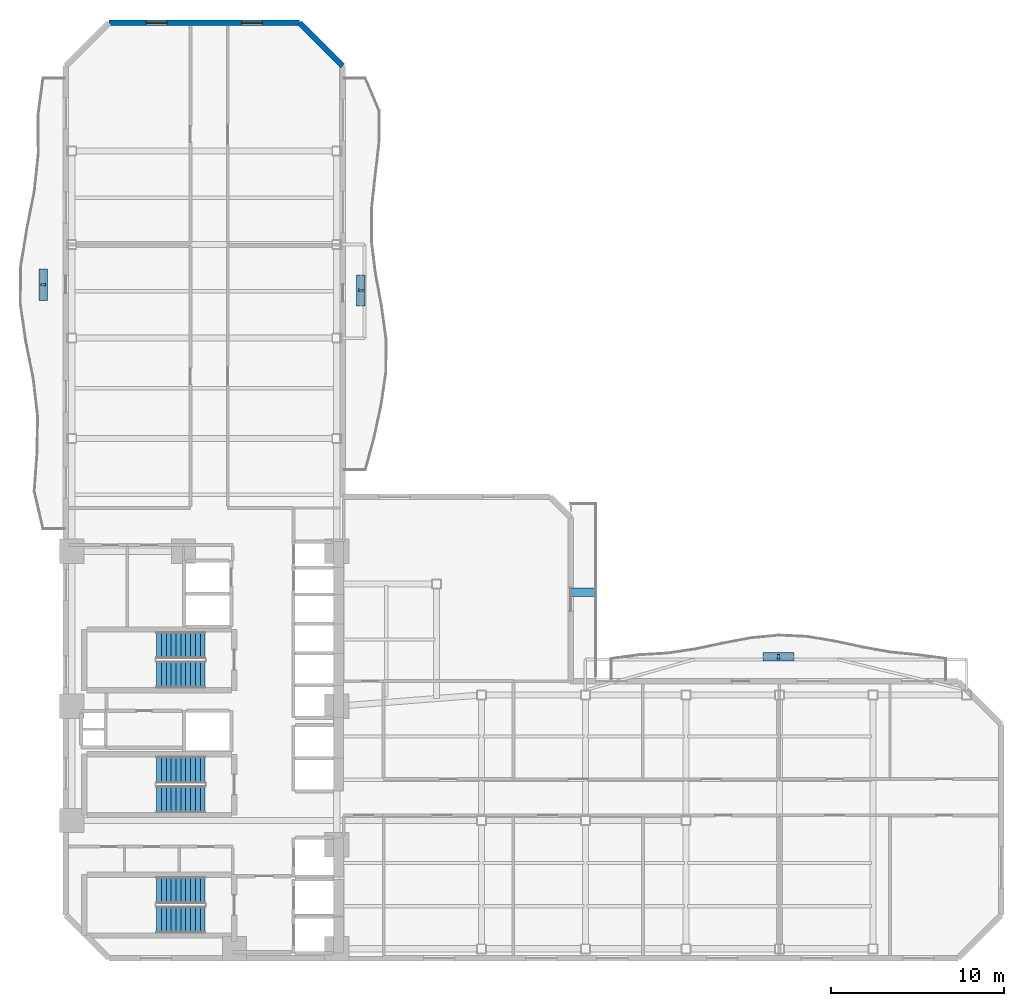
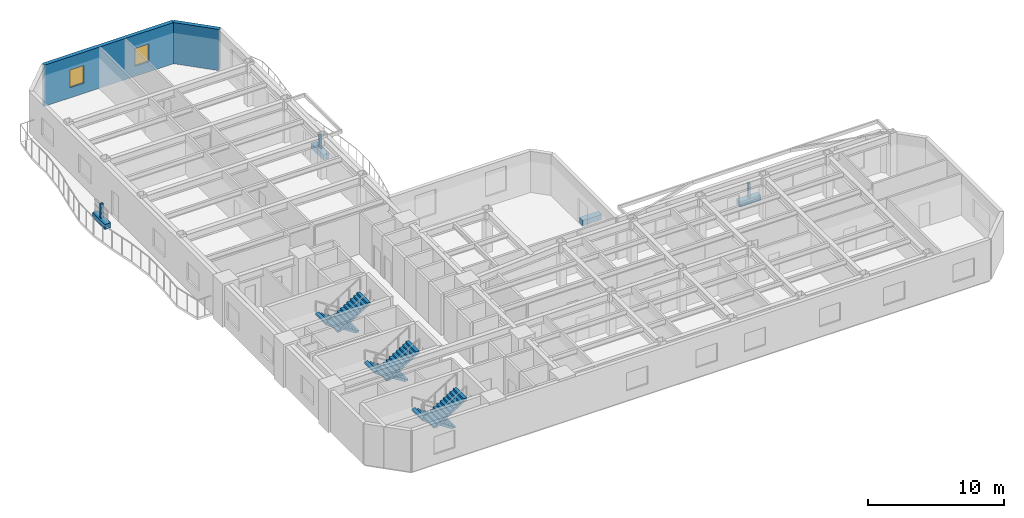
# One storey, part 7 of 10: 7 discrete accessories, 6 stair flights, 2 walls, 2 windows, 2 openings, 3 elements without a shape of their own.
"""IFC4 building model written with IfcOpenShell, lengths in metres."""

from ifc_helpers import new_model, si_unit, direction, frame, frame_2d, origin, origin_2d, place, context, subcontext, project, spatial, polyline, rectangle, outline, extrude, material, layer, layer_set, type_object, element, fill, aggregate, save


model = new_model("IFC4")

# Units and contexts
model_context = context("Model", 3, precision=1e-05, world=origin(), true_north=direction((0.0, 1.0)))
body_context = subcontext(model_context, "Body", "Model", "MODEL_VIEW")
ifc_project = project(units=[si_unit("LENGTHUNIT", "METRE"), si_unit("AREAUNIT", "SQUARE_METRE"), si_unit("VOLUMEUNIT", "CUBIC_METRE"), si_unit("PLANEANGLEUNIT", "RADIAN"), si_unit("MASSUNIT", "GRAM", prefix="KILO")], contexts=[model_context])

# Site, building, storey
site_placement = place(None, origin())
site = spatial("IfcSite", under=ifc_project, at=site_placement, CompositionType="ELEMENT")
building_placement = place(site_placement, origin())
building = spatial("IfcBuilding", under=site, at=building_placement, Name="Mawjaban Terraces University", CompositionType="ELEMENT")
storey_placement = place(building_placement, frame((0.0, 0.0, 62.199951171875)))
storey = spatial("IfcBuildingStorey", under=building, at=storey_placement, Name="L14", CompositionType="ELEMENT", Elevation=62.199951171875)

# Wall
ifc_material_1 = material(Name="Insulated terracotta rainscreen on concrete backup C40/50", Category="masonry")
ifc_layer = layer(ifc_material_1, 0.320068359375)
ifc_layer_set = layer_set([ifc_layer], Name="Insulated terracotta rainscreen on concrete backup C40/50")
wall_type = type_object("IfcWallType", Name="ExtTerracottaWall_320", PredefinedType="SOLIDWALL", material=ifc_layer_set)
wall_1_placement = place(storey_placement, frame((38.0, 51.5, 0.0), z_axis=(0.0, 0.0, 1.0), x_axis=(-0.707106781187, 0.707106781187, 0.0)))
element("IfcWall", 1, at=wall_1_placement, inside=storey, type_object=wall_type, Name="L14 Exterior Terracotta Wall 10", PredefinedType="SOLIDWALL", context=body_context, shape_type="SweptSolid", body=[
    extrude(rectangle(XDim=3.53564453125, YDim=0.320068359375, at=frame_2d((1.767822265625, 0.0))), origin(), (0.0, 0.0, 1.0), 3.68994140625),
])

# Wall, openings, windows
wall_2_placement = place(storey_placement, frame((35.5, 54.0, 0.0), z_axis=(0.0, 0.0, 1.0), x_axis=(-1.0, 0.0, 0.0)))
wall_2 = element("IfcWall", 2, at=wall_2_placement, inside=storey, type_object=wall_type, Name="L14 Exterior Terracotta Wall 11", PredefinedType="SOLIDWALL", context=body_context, shape_type="SweptSolid", body=[
    extrude(rectangle(XDim=11.0, YDim=0.320068359375, at=frame_2d((5.5, 0.0))), origin(), (0.0, 0.0, 1.0), 3.68994140625),
])
opening_1_placement = place(wall_2_placement, frame((2.14990234375, 0.0, 0.89990234375)))
opening_1 = element("IfcOpeningElement", 3, at=opening_1_placement, cuts=wall_2, Name="Opening W-01", PredefinedType="OPENING", context=body_context, shape_type="SweptSolid", body=[
    extrude(rectangle(XDim=1.199951171875, YDim=1.60009765625, at=frame_2d((0.60009765625, 0.800048828125))), frame((0.0, 0.169921875, 0.0), z_axis=(0.0, -1.0, 0.0), x_axis=(1.0, 0.0, 0.0)), (0.0, 0.0, 1.0), 0.340087890625),
])
opening_2_placement = place(wall_2_placement, frame((7.64990234375, 0.0, 0.89990234375)))
opening_2 = element("IfcOpeningElement", 4, at=opening_2_placement, cuts=wall_2, Name="Opening W-01", PredefinedType="OPENING", context=body_context, shape_type="SweptSolid", body=[
    extrude(rectangle(XDim=1.199951171875, YDim=1.60009765625, at=frame_2d((0.60009765625, 0.800048828125))), frame((0.0, 0.169921875, 0.0), z_axis=(0.0, -1.0, 0.0), x_axis=(1.0, 0.0, 0.0)), (0.0, 0.0, 1.0), 0.340087890625),
])
ifc_material_2 = material(Name="Low-E solar-control double glazing in thermally broken aluminium frame", Category="aluminium")
window_type = type_object("IfcWindowType", Name="Win_1200x1600", PartitioningType="SINGLE_PANEL", PredefinedType="WINDOW", material=ifc_material_2)
window_1_placement = place(opening_1_placement, origin())
window_1 = element("IfcWindow", 5, at=window_1_placement, inside=storey, type_object=window_type, Name="L14 Facade Window 11.1", OverallHeight=1.60009765625, OverallWidth=1.199951171875, PartitioningType="SINGLE_PANEL", PredefinedType="WINDOW", context=body_context, shape_type="SweptSolid", body=[
    extrude(rectangle(XDim=1.199951171875, YDim=1.60009765625, at=frame_2d((0.60009765625, 0.800048828125))), frame((0.0, 0.030029296875, 0.0), z_axis=(0.0, -1.0, 0.0), x_axis=(1.0, 0.0, 0.0)), (0.0, 0.0, 1.0), 0.06005859375),
])
fill(opening_1, window_1)
window_2_placement = place(opening_2_placement, origin())
window_2 = element("IfcWindow", 6, at=window_2_placement, inside=storey, type_object=window_type, Name="L14 Facade Window 11.2", OverallHeight=1.60009765625, OverallWidth=1.199951171875, PartitioningType="SINGLE_PANEL", PredefinedType="WINDOW", context=body_context, shape_type="SweptSolid", body=[
    extrude(rectangle(XDim=1.199951171875, YDim=1.60009765625, at=frame_2d((0.60009765625, 0.800048828125))), frame((0.0, 0.030029296875, 0.0), z_axis=(0.0, -1.0, 0.0), x_axis=(1.0, 0.0, 0.0)), (0.0, 0.0, 1.0), 0.06005859375),
])
fill(opening_2, window_2)

# Stair, stair flights
ifc_material_3 = material(Name="Concrete C40/50", Category="concrete")
stair_type = type_object("IfcStairType", Name="Stair_Core1550_H39", PredefinedType="HALF_TURN_STAIR", material=ifc_material_3)
stair_1_placement = place(storey_placement, origin())
stair_1 = element("IfcStair", 7, at=stair_1_placement, inside=storey, type_object=stair_type, Name="L14 Core Exit Stair 1", PredefinedType="HALF_TURN_STAIR")
stair_flight_type = type_object("IfcStairFlightType", Name="Flight_Core1550_H39", PredefinedType="STRAIGHT", material=ifc_material_3)
stair_flight_1_placement = place(storey_placement, frame((30.050048828125, 3.925048828125, 0.0), z_axis=(0.0, 0.0, 1.0), x_axis=(-1.0, 0.0, 0.0)))
stair_flight_1 = element("IfcStairFlight", 8, at=stair_flight_1_placement, type_object=stair_flight_type, Name="ST-1 flight 1", NumberOfRisers=11, NumberOfTreads=10, PredefinedType="STRAIGHT", RiserHeight=0.177272727, TreadLength=0.28, context=body_context, shape_type="SweptSolid", body=[
    extrude(outline(polyline([(0.0, 0.0), (0.0, 0.17724609375), (0.280029296875, 0.17724609375), (0.280029296875, 0.3544921875), (0.56005859375, 0.3544921875), (0.56005859375, 0.53173828125), (0.840087890625, 0.53173828125), (0.840087890625, 0.708984375), (1.1201171875, 0.708984375), (1.1201171875, 0.886474609375), (1.39990234375, 0.886474609375), (1.39990234375, 1.063720703125), (1.679931640625, 1.063720703125), (1.679931640625, 1.240966796875), (1.9599609375, 1.240966796875), (1.9599609375, 1.418212890625), (2.239990234375, 1.418212890625), (2.239990234375, 1.595458984375), (2.52001953125, 1.595458984375), (2.52001953125, 1.772705078125), (2.800048828125, 1.772705078125), (2.800048828125, 1.949951171875), (2.800048828125, 1.59521484375), (0.2802734375, 0.0), (0.0, 0.0)])), frame((0.0, 0.77490234375, 0.0), z_axis=(0.0, -1.0, 0.0), x_axis=(1.0, 0.0, 0.0)), (0.0, 0.0, 1.0), 1.550048828125),
])
stair_flight_2_placement = place(storey_placement, frame((27.25, 2.22509765625, 1.949951171875), z_axis=(0.0, 0.0, 1.0), x_axis=(1.0, 0.0, 0.0)))
stair_flight_2 = element("IfcStairFlight", 9, at=stair_flight_2_placement, type_object=stair_flight_type, Name="ST-1 flight 2", NumberOfRisers=11, NumberOfTreads=10, PredefinedType="STRAIGHT", RiserHeight=0.177272727, TreadLength=0.28, context=body_context, shape_type="SweptSolid", body=[
    extrude(outline(polyline([(0.0, 0.0), (0.0, 0.17724609375), (0.280029296875, 0.17724609375), (0.280029296875, 0.3544921875), (0.56005859375, 0.3544921875), (0.56005859375, 0.53173828125), (0.840087890625, 0.53173828125), (0.840087890625, 0.708984375), (1.1201171875, 0.708984375), (1.1201171875, 0.886474609375), (1.39990234375, 0.886474609375), (1.39990234375, 1.063720703125), (1.679931640625, 1.063720703125), (1.679931640625, 1.240966796875), (1.9599609375, 1.240966796875), (1.9599609375, 1.418212890625), (2.239990234375, 1.418212890625), (2.239990234375, 1.595458984375), (2.52001953125, 1.595458984375), (2.52001953125, 1.772705078125), (2.800048828125, 1.772705078125), (2.800048828125, 1.949951171875), (2.800048828125, 1.59521484375), (0.2802734375, 0.0), (0.0, 0.0)])), frame((0.0, 0.77490234375, 0.0), z_axis=(0.0, -1.0, 0.0), x_axis=(1.0, 0.0, 0.0)), (0.0, 0.0, 1.0), 1.550048828125),
])
aggregate(stair_1, [stair_flight_1, stair_flight_2])

stair_2_placement = place(storey_placement, origin())
stair_2 = element("IfcStair", 10, at=stair_2_placement, inside=storey, type_object=stair_type, Name="L14 Core Exit Stair 2", PredefinedType="HALF_TURN_STAIR")
stair_flight_3_placement = place(storey_placement, frame((30.050048828125, 18.074951171875, 0.0), z_axis=(0.0, 0.0, 1.0), x_axis=(-1.0, 0.0, 0.0)))
stair_flight_3 = element("IfcStairFlight", 11, at=stair_flight_3_placement, type_object=stair_flight_type, Name="ST-2 flight 1", NumberOfRisers=11, NumberOfTreads=10, PredefinedType="STRAIGHT", RiserHeight=0.177272727, TreadLength=0.28, context=body_context, shape_type="SweptSolid", body=[
    extrude(outline(polyline([(0.0, 0.0), (0.0, 0.17724609375), (0.280029296875, 0.17724609375), (0.280029296875, 0.3544921875), (0.56005859375, 0.3544921875), (0.56005859375, 0.53173828125), (0.840087890625, 0.53173828125), (0.840087890625, 0.708984375), (1.1201171875, 0.708984375), (1.1201171875, 0.886474609375), (1.39990234375, 0.886474609375), (1.39990234375, 1.063720703125), (1.679931640625, 1.063720703125), (1.679931640625, 1.240966796875), (1.9599609375, 1.240966796875), (1.9599609375, 1.418212890625), (2.239990234375, 1.418212890625), (2.239990234375, 1.595458984375), (2.52001953125, 1.595458984375), (2.52001953125, 1.772705078125), (2.800048828125, 1.772705078125), (2.800048828125, 1.949951171875), (2.800048828125, 1.59521484375), (0.2802734375, 0.0), (0.0, 0.0)])), frame((0.0, 0.77490234375, 0.0), z_axis=(0.0, -1.0, 0.0), x_axis=(1.0, 0.0, 0.0)), (0.0, 0.0, 1.0), 1.550048828125),
])
stair_flight_4_placement = place(storey_placement, frame((27.25, 16.375, 1.949951171875), z_axis=(0.0, 0.0, 1.0), x_axis=(1.0, 0.0, 0.0)))
stair_flight_4 = element("IfcStairFlight", 12, at=stair_flight_4_placement, type_object=stair_flight_type, Name="ST-2 flight 2", NumberOfRisers=11, NumberOfTreads=10, PredefinedType="STRAIGHT", RiserHeight=0.177272727, TreadLength=0.28, context=body_context, shape_type="SweptSolid", body=[
    extrude(outline(polyline([(0.0, 0.0), (0.0, 0.17724609375), (0.280029296875, 0.17724609375), (0.280029296875, 0.3544921875), (0.56005859375, 0.3544921875), (0.56005859375, 0.53173828125), (0.840087890625, 0.53173828125), (0.840087890625, 0.708984375), (1.1201171875, 0.708984375), (1.1201171875, 0.886474609375), (1.39990234375, 0.886474609375), (1.39990234375, 1.063720703125), (1.679931640625, 1.063720703125), (1.679931640625, 1.240966796875), (1.9599609375, 1.240966796875), (1.9599609375, 1.418212890625), (2.239990234375, 1.418212890625), (2.239990234375, 1.595458984375), (2.52001953125, 1.595458984375), (2.52001953125, 1.772705078125), (2.800048828125, 1.772705078125), (2.800048828125, 1.949951171875), (2.800048828125, 1.59521484375), (0.2802734375, 0.0), (0.0, 0.0)])), frame((0.0, 0.77490234375, 0.0), z_axis=(0.0, -1.0, 0.0), x_axis=(1.0, 0.0, 0.0)), (0.0, 0.0, 1.0), 1.550048828125),
])
aggregate(stair_2, [stair_flight_3, stair_flight_4])

stair_3_placement = place(storey_placement, origin())
stair_3 = element("IfcStair", 13, at=stair_3_placement, inside=storey, type_object=stair_type, Name="L14 Core Exit Stair 3", PredefinedType="HALF_TURN_STAIR")
stair_flight_5_placement = place(storey_placement, frame((30.050048828125, 10.875, 0.0), z_axis=(0.0, 0.0, 1.0), x_axis=(-1.0, 0.0, 0.0)))
stair_flight_5 = element("IfcStairFlight", 14, at=stair_flight_5_placement, type_object=stair_flight_type, Name="ST-3 flight 1", NumberOfRisers=11, NumberOfTreads=10, PredefinedType="STRAIGHT", RiserHeight=0.177272727, TreadLength=0.28, context=body_context, shape_type="SweptSolid", body=[
    extrude(outline(polyline([(0.0, 0.0), (0.0, 0.17724609375), (0.280029296875, 0.17724609375), (0.280029296875, 0.3544921875), (0.56005859375, 0.3544921875), (0.56005859375, 0.53173828125), (0.840087890625, 0.53173828125), (0.840087890625, 0.708984375), (1.1201171875, 0.708984375), (1.1201171875, 0.886474609375), (1.39990234375, 0.886474609375), (1.39990234375, 1.063720703125), (1.679931640625, 1.063720703125), (1.679931640625, 1.240966796875), (1.9599609375, 1.240966796875), (1.9599609375, 1.418212890625), (2.239990234375, 1.418212890625), (2.239990234375, 1.595458984375), (2.52001953125, 1.595458984375), (2.52001953125, 1.772705078125), (2.800048828125, 1.772705078125), (2.800048828125, 1.949951171875), (2.800048828125, 1.59521484375), (0.2802734375, 0.0), (0.0, 0.0)])), frame((0.0, 0.77490234375, 0.0), z_axis=(0.0, -1.0, 0.0), x_axis=(1.0, 0.0, 0.0)), (0.0, 0.0, 1.0), 1.550048828125),
])
stair_flight_6_placement = place(storey_placement, frame((27.25, 9.175048828125, 1.949951171875), z_axis=(0.0, 0.0, 1.0), x_axis=(1.0, 0.0, 0.0)))
stair_flight_6 = element("IfcStairFlight", 15, at=stair_flight_6_placement, type_object=stair_flight_type, Name="ST-3 flight 2", NumberOfRisers=11, NumberOfTreads=10, PredefinedType="STRAIGHT", RiserHeight=0.177272727, TreadLength=0.28, context=body_context, shape_type="SweptSolid", body=[
    extrude(outline(polyline([(0.0, 0.0), (0.0, 0.17724609375), (0.280029296875, 0.17724609375), (0.280029296875, 0.3544921875), (0.56005859375, 0.3544921875), (0.56005859375, 0.53173828125), (0.840087890625, 0.53173828125), (0.840087890625, 0.708984375), (1.1201171875, 0.708984375), (1.1201171875, 0.886474609375), (1.39990234375, 0.886474609375), (1.39990234375, 1.063720703125), (1.679931640625, 1.063720703125), (1.679931640625, 1.240966796875), (1.9599609375, 1.240966796875), (1.9599609375, 1.418212890625), (2.239990234375, 1.418212890625), (2.239990234375, 1.595458984375), (2.52001953125, 1.595458984375), (2.52001953125, 1.772705078125), (2.800048828125, 1.772705078125), (2.800048828125, 1.949951171875), (2.800048828125, 1.59521484375), (0.2802734375, 0.0), (0.0, 0.0)])), frame((0.0, 0.77490234375, 0.0), z_axis=(0.0, -1.0, 0.0), x_axis=(1.0, 0.0, 0.0)), (0.0, 0.0, 1.0), 1.550048828125),
])
aggregate(stair_3, [stair_flight_5, stair_flight_6])

# Discrete accessories
ifc_material_4 = material(Name="Stainless steel 316L", Category="steel")
discrete_accessory_type_1 = type_object("IfcDiscreteAccessoryType", Name="FacadeScreenBracket_Steel", PredefinedType="BRACKET", material=ifc_material_4)
for number, where, z_axis, x_axis, name in (
    (16, (20.70703125, 38.883056640625, 0.419921875), (0.0, 0.0, 1.0), (0.0, 1.0, 0.0), "L14 Balcony Screen Support Bracket west"),
    (17, (63.14794921875, 17.406982421875, 0.419921875), (0.0, 0.0, 1.0), (1.0, 0.0, 0.0), "L14 Balcony Screen Support Bracket inner_north"),
    (18, (39.031005859375, 38.555908203125, 0.419921875), (0.0, 0.0, 1.0), (0.0, 1.0, 0.0), "L14 Balcony Screen Support Bracket inner_east"),
):
    element("IfcDiscreteAccessory", number, at=place(storey_placement, frame(where, z_axis=z_axis, x_axis=x_axis)), inside=storey, type_object=discrete_accessory_type_1, Name=name, PredefinedType="BRACKET", context=body_context, shape_type="SweptSolid", body=[
        extrude(rectangle(XDim=0.159912109375, YDim=0.239990234375, at=origin_2d()), origin(), (0.0, 0.0, 1.0), 1.300048828125),
    ])
ifc_material_5 = material(Name="Precast architectural terracotta planter with engineered planting soil", Category="masonry")
discrete_accessory_type_2 = type_object("IfcDiscreteAccessoryType", Name="IrrigatedPlanterTrough_450", PredefinedType="USERDEFINED", material=ifc_material_5)
for number, where, z_axis, x_axis, name in (
    (19, (20.70703125, 38.883056640625, -0.0048828125), (0.0, 0.0, 1.0), (0.0, 1.0, 0.0), "L14 Balcony Irrigated Planter west"),
    (20, (63.14794921875, 17.406982421875, -0.0048828125), (0.0, 0.0, 1.0), (1.0, 0.0, 0.0), "L14 Balcony Irrigated Planter inner_north"),
    (21, (39.031005859375, 38.555908203125, -0.0048828125), (0.0, 0.0, 1.0), (0.0, 1.0, 0.0), "L14 Balcony Irrigated Planter inner_east"),
):
    element("IfcDiscreteAccessory", number, at=place(storey_placement, frame(where, z_axis=z_axis, x_axis=x_axis)), inside=storey, type_object=discrete_accessory_type_2, Name=name, ObjectType="PLANTER", PredefinedType="USERDEFINED", context=body_context, shape_type="SweptSolid", body=[
        extrude(rectangle(XDim=1.800048828125, YDim=0.5, at=origin_2d()), origin(), (0.0, 0.0, 1.0), 0.449951171875),
    ])
discrete_accessory_placement = place(storey_placement, frame((51.875, 21.12109375, -0.0048828125), z_axis=(0.0, 0.0, 1.0), x_axis=(1.0, 0.0, 0.0)))
element("IfcDiscreteAccessory", 22, at=discrete_accessory_placement, inside=storey, type_object=discrete_accessory_type_2, Name="L14 Terrace Planter TER-L14-CLIMB", ObjectType="PLANTER", PredefinedType="USERDEFINED", context=body_context, shape_type="SweptSolid", body=[
    extrude(rectangle(XDim=1.60009765625, YDim=0.5, at=origin_2d()), origin(), (0.0, 0.0, 1.0), 0.449951171875),
])

save(model, "model.ifc")
